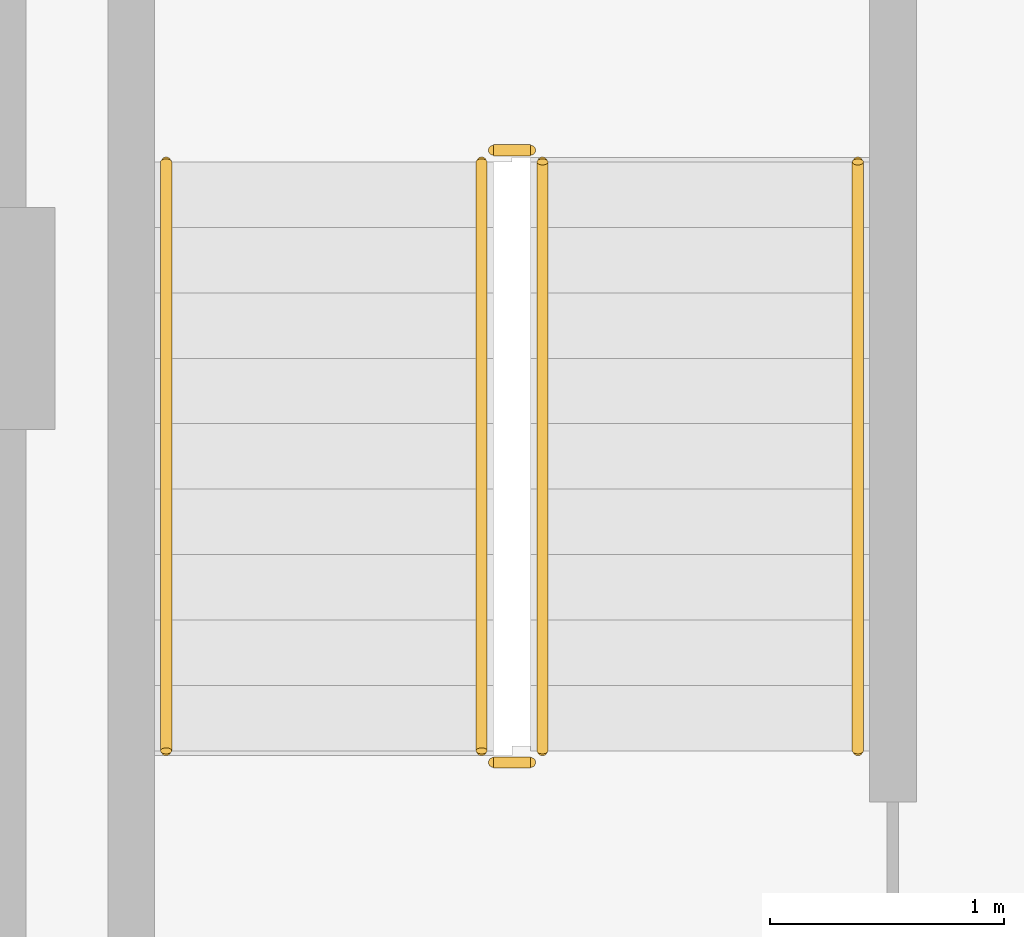
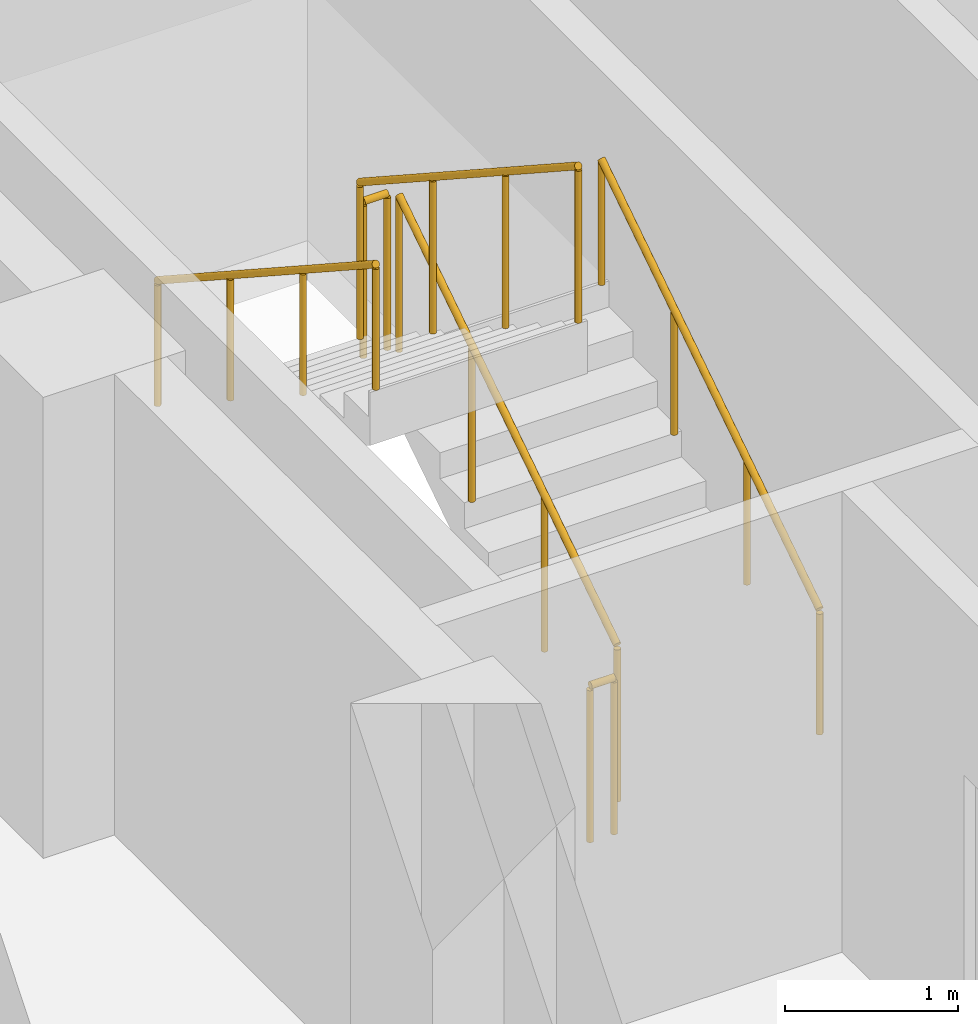
# One storey, part 12 of 15: 6 railings.
"""IFC4 building model written with IfcOpenShell, lengths in metres."""

import ifcopenshell
import ifcopenshell.guid

model = None  # the IFC model being written
_history = None  # IfcOwnerHistory: only IFC2X3 demands one
_inside = {}  # id of a spatial element -> (the spatial element, [elements in it])
_under = {}  # id of a project, library or spatial element -> (it, [spatial elements below it])
_declared = {}  # id of a project -> (the project, [libraries it declares])
_typed = {}  # id of a type object -> (the type object, [elements of that type])
_made_of = {}  # id of a material, layer set ... -> (it, [elements and type objects made of it])


def new_model(schema):
    """Start an empty IFC model of exactly this schema.

    Asked for "IFC4X3", IfcOpenShell would pick the latest addendum, in which some entities
    have other attributes; the version numbers below select the first issue.
    IFC2X3 requires an IfcOwnerHistory on every rooted entity: one is made here for all.
    """
    global model, _history
    if schema == "IFC4X3":
        model = ifcopenshell.file(schema_version=(4, 3, 0, 0))
    else:
        model = ifcopenshell.file(schema=schema)
    _inside.clear()
    _under.clear()
    _declared.clear()
    _typed.clear()
    _made_of.clear()
    _history = None
    if model.schema == "IFC2X3":
        org = make("IfcOrganization", Name="unknown")
        user = make(
            "IfcPersonAndOrganization",
            ThePerson=make("IfcPerson", FamilyName="unknown"),
            TheOrganization=org,
        )
        app = make(
            "IfcApplication",
            ApplicationDeveloper=org,
            Version="unknown",
            ApplicationFullName="unknown",
            ApplicationIdentifier="unknown",
        )
        _history = make(
            "IfcOwnerHistory",
            OwningUser=user,
            OwningApplication=app,
            ChangeAction="ADDED",
            CreationDate=0,
        )
    return model


def make(cls, **values):
    """One entity of the class cls with the attributes given. An attribute that is None is left unset."""
    return model.create_entity(
        cls, **{name: value for name, value in values.items() if value is not None}
    )


def rooted(cls, **values):
    """An entity with a GlobalId (a new one), such as an element, a storey or a relation."""
    return make(cls, GlobalId=ifcopenshell.guid.new(), OwnerHistory=_history, **values)


def si_unit(unit_type, name, prefix=None):
    """IfcSIUnit, for example si_unit("LENGTHUNIT", "METRE", prefix="MILLI")."""
    return make("IfcSIUnit", UnitType=unit_type, Prefix=prefix, Name=name)


def assignment(units):
    """IfcUnitAssignment: the units of a project."""
    return None if units is None else make("IfcUnitAssignment", Units=units)


def point(xyz):
    """IfcCartesianPoint."""
    return None if xyz is None else make("IfcCartesianPoint", Coordinates=xyz)


def direction(xyz):
    """IfcDirection."""
    return None if xyz is None else make("IfcDirection", DirectionRatios=xyz)


def frame(location, z_axis=None, x_axis=None):
    """IfcAxis2Placement3D, a coordinate frame: its origin and axes. An axis left out is left unset."""
    return make(
        "IfcAxis2Placement3D",
        Location=point(location),
        Axis=direction(z_axis),
        RefDirection=direction(x_axis),
    )


def frame_2d(location, x_axis=None):
    """IfcAxis2Placement2D, a coordinate frame in the plane: its origin and x axis."""
    return make(
        "IfcAxis2Placement2D", Location=point(location), RefDirection=direction(x_axis)
    )


def origin():
    """The frame at (0, 0, 0) with its axes left unset."""
    return frame((0.0, 0.0, 0.0))


def origin_2d():
    """The frame at (0, 0) in the plane with its x axis left unset."""
    return frame_2d((0.0, 0.0))


def place(relative_to, where):
    """IfcLocalPlacement: puts the frame where relative to a parent placement (None: the world)."""
    return make(
        "IfcLocalPlacement", PlacementRelTo=relative_to, RelativePlacement=where
    )


def context(
    kind, dimensions, precision=None, world=None, true_north=None, identifier=None
):
    """IfcGeometricRepresentationContext, for example the 3D "Model" context."""
    return make(
        "IfcGeometricRepresentationContext",
        ContextIdentifier=identifier,
        ContextType=kind,
        CoordinateSpaceDimension=dimensions,
        Precision=precision,
        WorldCoordinateSystem=world,
        TrueNorth=true_north,
    )


def subcontext(parent, identifier, kind, view, scale=None):
    """IfcGeometricRepresentationSubContext, for example "Body" below "Model"."""
    return make(
        "IfcGeometricRepresentationSubContext",
        ContextIdentifier=identifier,
        ContextType=kind,
        ParentContext=parent,
        TargetScale=scale,
        TargetView=view,
    )


def project(units=None, contexts=None):
    """IfcProject with its units and contexts."""
    return rooted(
        "IfcProject",
        Name="project",
        RepresentationContexts=contexts,
        UnitsInContext=assignment(units),
    )


def spatial(cls, under=None, at=None, **own):
    """A site, building, storey or space (cls), placed at a placement, below another one or the project."""
    s = rooted(cls, ObjectPlacement=at, **own)
    if under is not None:
        _under.setdefault(under.id(), (under, []))[1].append(s)
    return s


def profile(cls, at=None, kind="AREA", **sizes):
    """A parametric profile (cls). Its sizes go by their IFC names, for example OverallWidth=200.0."""
    return make(cls, ProfileType=kind, Position=at, **sizes)


def circle(**sizes):
    """IfcCircleProfileDef."""
    return profile("IfcCircleProfileDef", **sizes)


def extrude(swept, where, along, depth):
    """IfcExtrudedAreaSolid: the profile swept, set in the frame where, extruded along a direction by depth."""
    return make(
        "IfcExtrudedAreaSolid",
        SweptArea=swept,
        Position=where,
        ExtrudedDirection=direction(along),
        Depth=depth,
    )


def shape(context_of_items, identifier, shape_type, items):
    """IfcShapeRepresentation: the items that make up one representation, for example the "Body"."""
    return make(
        "IfcShapeRepresentation",
        ContextOfItems=context_of_items,
        RepresentationIdentifier=identifier,
        RepresentationType=shape_type,
        Items=items,
    )


def material(Name=None, Category=None):
    """IfcMaterial."""
    return make("IfcMaterial", Name=Name, Category=Category)


def made_of(thing, what):
    """Note that an element or type object is made of a material, layer set ...; save() writes the relation."""
    if what is not None:
        _made_of.setdefault(what.id(), (what, []))[1].append(thing)
    return thing


def type_object(cls, material=None, **own):
    """A type object (cls), such as IfcWallType, which elements share."""
    return made_of(rooted(cls, **own), material)


def element(
    cls,
    number,
    at=None,
    inside=None,
    cuts=None,
    type_object=None,
    material=None,
    context=None,
    identifier="Body",
    shape_type=None,
    held_by="IfcProductDefinitionShape",
    body=None,
    shapes=None,
    **own,
):
    """One element of the class cls, such as IfcWall. Its Tag is "e" and its number.

    at: its placement. inside: the storey or other place that contains it. cuts: it is an
    opening in that element (IfcRelVoidsElement). A single representation is given by context,
    identifier, shape_type and body (its items); several are given by shapes. held_by: the class
    of the entity that holds the representations. save() writes the other relations.
    """
    e = rooted(cls, Tag="e%d" % number, ObjectPlacement=at, **own)
    if body is not None:
        shapes = [shape(context, identifier, shape_type, body)]
    if shapes is not None:
        e.Representation = make(held_by, Representations=shapes)
    if inside is not None:
        _inside.setdefault(inside.id(), (inside, []))[1].append(e)
    if cuts is not None:
        rooted(
            "IfcRelVoidsElement", RelatingBuildingElement=cuts, RelatedOpeningElement=e
        )
    if type_object is not None:
        _typed.setdefault(type_object.id(), (type_object, []))[1].append(e)
    return made_of(e, material)


def aggregate(whole, parts):
    """IfcRelAggregates: a whole, such as a stair, and the parts it consists of."""
    return rooted("IfcRelAggregates", RelatingObject=whole, RelatedObjects=parts)


def save(model, path):
    """Write the relations noted so far, then the file.

    IfcRelAggregates (storeys below a building ...), IfcRelContainedInSpatialStructure (elements
    in a storey), IfcRelDefinesByType, IfcRelAssociatesMaterial and IfcRelDeclares: one each for
    every whole, place, type object, material and project.
    """
    for whole, parts in _under.values():
        aggregate(whole, parts)
    for where, things in _inside.values():
        rooted(
            "IfcRelContainedInSpatialStructure",
            RelatedElements=things,
            RelatingStructure=where,
        )
    for kind, things in _typed.values():
        rooted("IfcRelDefinesByType", RelatedObjects=things, RelatingType=kind)
    for what, things in _made_of.values():
        rooted("IfcRelAssociatesMaterial", RelatedObjects=things, RelatingMaterial=what)
    for by, libraries in _declared.values():
        rooted("IfcRelDeclares", RelatingContext=by, RelatedDefinitions=libraries)
    model.write(path)


model = new_model("IFC4")

# Units and contexts
model_context = context("Model", 3, precision=1e-05, world=origin(), true_north=direction((0.0, 1.0)))
body_context = subcontext(model_context, "Body", "Model", "MODEL_VIEW")
ifc_project = project(units=[si_unit("LENGTHUNIT", "METRE"), si_unit("AREAUNIT", "SQUARE_METRE"), si_unit("VOLUMEUNIT", "CUBIC_METRE"), si_unit("PLANEANGLEUNIT", "RADIAN"), si_unit("MASSUNIT", "GRAM", prefix="KILO")], contexts=[model_context])

# Site, building, storey
site_placement = place(None, origin())
site = spatial("IfcSite", under=ifc_project, at=site_placement, CompositionType="ELEMENT")
building_placement = place(site_placement, origin())
building = spatial("IfcBuilding", under=site, at=building_placement, Name="Nuvemarco Arch Tower", CompositionType="ELEMENT")
storey_placement = place(building_placement, frame((0.0, 0.0, 205.5)))
storey = spatial("IfcBuildingStorey", under=building, at=storey_placement, Name="L54", CompositionType="ELEMENT", Elevation=205.5)

# Railings
ifc_material_1 = material(Name="Brushed stainless steel handrail", Category="steel")
railing_type_1 = type_object("IfcRailingType", Name="RL-HANDRAIL-900", PredefinedType="HANDRAIL", material=ifc_material_1)
railing_1_placement = place(storey_placement, frame((-13.590087890625, 2.64990234375, 0.1826171875)))
element("IfcRailing", 1, at=railing_1_placement, inside=storey, type_object=railing_type_1, Name="L54 ST-1 stair handrail 1", PredefinedType="HANDRAIL", context=body_context, shape_type="SweptSolid", body=[
    extrude(circle(Radius=0.02392578125, at=origin_2d()), frame((0.0, 0.0, 0.8759765625), z_axis=(0.0, 0.837786554691, 0.545997883492), x_axis=(-1.0, 0.0, 0.0)), (0.0, 0.0, 1.0), 3.008056640625),
    extrude(circle(Radius=0.02099609375, at=origin_2d()), origin(), (0.0, 0.0, 1.0), 0.851806640625),
    extrude(circle(Radius=0.02099609375, at=origin_2d()), frame((0.0, 0.840087890625, 0.54736328125)), (0.0, 0.0, 1.0), 0.851806640625),
    extrude(circle(Radius=0.02099609375, at=origin_2d()), frame((0.0, 1.679931640625, 1.094970703125)), (0.0, 0.0, 1.0), 0.851806640625),
    extrude(circle(Radius=0.02099609375, at=origin_2d()), frame((0.0, 2.52001953125, 1.642333984375)), (0.0, 0.0, 1.0), 0.851806640625),
])
railing_2_placement = place(storey_placement, frame((-16.550048828125, 5.169921875, 2.007568359375)))
element("IfcRailing", 2, at=railing_2_placement, inside=storey, type_object=railing_type_1, Name="L54 ST-1 stair handrail 2", PredefinedType="HANDRAIL", context=body_context, shape_type="SweptSolid", body=[
    extrude(circle(Radius=0.02392578125, at=origin_2d()), frame((0.0, 0.0, 0.8759765625), z_axis=(0.0, -0.837786554691, 0.545997883492), x_axis=(1.0, 0.0, 0.0)), (0.0, 0.0, 1.0), 3.008056640625),
    extrude(circle(Radius=0.02099609375, at=origin_2d()), origin(), (0.0, 0.0, 1.0), 0.851806640625),
    extrude(circle(Radius=0.02099609375, at=origin_2d()), frame((0.0, -0.840087890625, 0.54736328125)), (0.0, 0.0, 1.0), 0.851806640625),
    extrude(circle(Radius=0.02099609375, at=origin_2d()), frame((0.0, -1.679931640625, 1.094970703125)), (0.0, 0.0, 1.0), 0.851806640625),
    extrude(circle(Radius=0.02099609375, at=origin_2d()), frame((0.0, -2.52001953125, 1.642333984375)), (0.0, 0.0, 1.0), 0.851806640625),
])
ifc_material_2 = material(Name="Painted balustrade steel S355", Category="steel")
railing_type_2 = type_object("IfcRailingType", Name="RL-STAIR-GUARD", PredefinedType="GUARDRAIL", material=ifc_material_2)
railing_3_placement = place(storey_placement, frame((-14.93994140625, 2.64990234375, 0.1826171875)))
element("IfcRailing", 3, at=railing_3_placement, inside=storey, type_object=railing_type_2, Name="L54 ST-1 stair guard 1", PredefinedType="GUARDRAIL", context=body_context, shape_type="SweptSolid", body=[
    extrude(circle(Radius=0.02392578125, at=origin_2d()), frame((0.0, 0.0, 1.09619140625), z_axis=(0.0, 0.837786554691, 0.545997883492), x_axis=(-1.0, 0.0, 0.0)), (0.0, 0.0, 1.0), 3.008056640625),
    extrude(circle(Radius=0.02099609375, at=origin_2d()), origin(), (0.0, 0.0, 1.0), 1.072021484375),
    extrude(circle(Radius=0.02099609375, at=origin_2d()), frame((0.0, 0.840087890625, 0.54736328125)), (0.0, 0.0, 1.0), 1.072021484375),
    extrude(circle(Radius=0.02099609375, at=origin_2d()), frame((0.0, 1.679931640625, 1.094970703125)), (0.0, 0.0, 1.0), 1.072021484375),
    extrude(circle(Radius=0.02099609375, at=origin_2d()), frame((0.0, 2.52001953125, 1.642333984375)), (0.0, 0.0, 1.0), 1.072021484375),
])
railing_4_placement = place(storey_placement, frame((-14.989990234375, 5.219970703125, 1.824951171875)))
element("IfcRailing", 4, at=railing_4_placement, inside=storey, type_object=railing_type_2, Name="L54 ST-1 stair guard 2", PredefinedType="GUARDRAIL", context=body_context, shape_type="SweptSolid", body=[
    extrude(circle(Radius=0.02392578125, at=origin_2d()), frame((0.0, 0.0, 1.09619140625), z_axis=(-1.0, 0.0, 0.0), x_axis=(0.0, -1.0, 0.0)), (0.0, 0.0, 1.0), 0.159912109375),
    extrude(circle(Radius=0.02099609375, at=origin_2d()), origin(), (0.0, 0.0, 1.0), 1.072021484375),
    extrude(circle(Radius=0.02099609375, at=origin_2d()), frame((-0.159912109375, 0.0, 0.0)), (0.0, 0.0, 1.0), 1.072021484375),
])
railing_5_placement = place(storey_placement, frame((-15.199951171875, 5.169921875, 2.007568359375)))
element("IfcRailing", 5, at=railing_5_placement, inside=storey, type_object=railing_type_2, Name="L54 ST-1 stair guard 3", PredefinedType="GUARDRAIL", context=body_context, shape_type="SweptSolid", body=[
    extrude(circle(Radius=0.02392578125, at=origin_2d()), frame((0.0, 0.0, 1.09619140625), z_axis=(0.0, -0.837786554691, 0.545997883492), x_axis=(1.0, 0.0, 0.0)), (0.0, 0.0, 1.0), 3.008056640625),
    extrude(circle(Radius=0.02099609375, at=origin_2d()), origin(), (0.0, 0.0, 1.0), 1.072021484375),
    extrude(circle(Radius=0.02099609375, at=origin_2d()), frame((0.0, -0.840087890625, 0.54736328125)), (0.0, 0.0, 1.0), 1.072021484375),
    extrude(circle(Radius=0.02099609375, at=origin_2d()), frame((0.0, -1.679931640625, 1.094970703125)), (0.0, 0.0, 1.0), 1.072021484375),
    extrude(circle(Radius=0.02099609375, at=origin_2d()), frame((0.0, -2.52001953125, 1.642333984375)), (0.0, 0.0, 1.0), 1.072021484375),
])
railing_6_placement = place(storey_placement, frame((-14.989990234375, 2.60009765625, 0.0)))
element("IfcRailing", 6, at=railing_6_placement, inside=storey, type_object=railing_type_2, Name="L54 ST-1 stair guard 4", PredefinedType="GUARDRAIL", context=body_context, shape_type="SweptSolid", body=[
    extrude(circle(Radius=0.02392578125, at=origin_2d()), frame((0.0, 0.0, 1.09619140625), z_axis=(-1.0, 0.0, 0.0), x_axis=(0.0, -1.0, 0.0)), (0.0, 0.0, 1.0), 0.159912109375),
    extrude(circle(Radius=0.02099609375, at=origin_2d()), origin(), (0.0, 0.0, 1.0), 1.072021484375),
    extrude(circle(Radius=0.02099609375, at=origin_2d()), frame((-0.159912109375, 0.0, 0.0)), (0.0, 0.0, 1.0), 1.072021484375),
])

save(model, "model.ifc")
